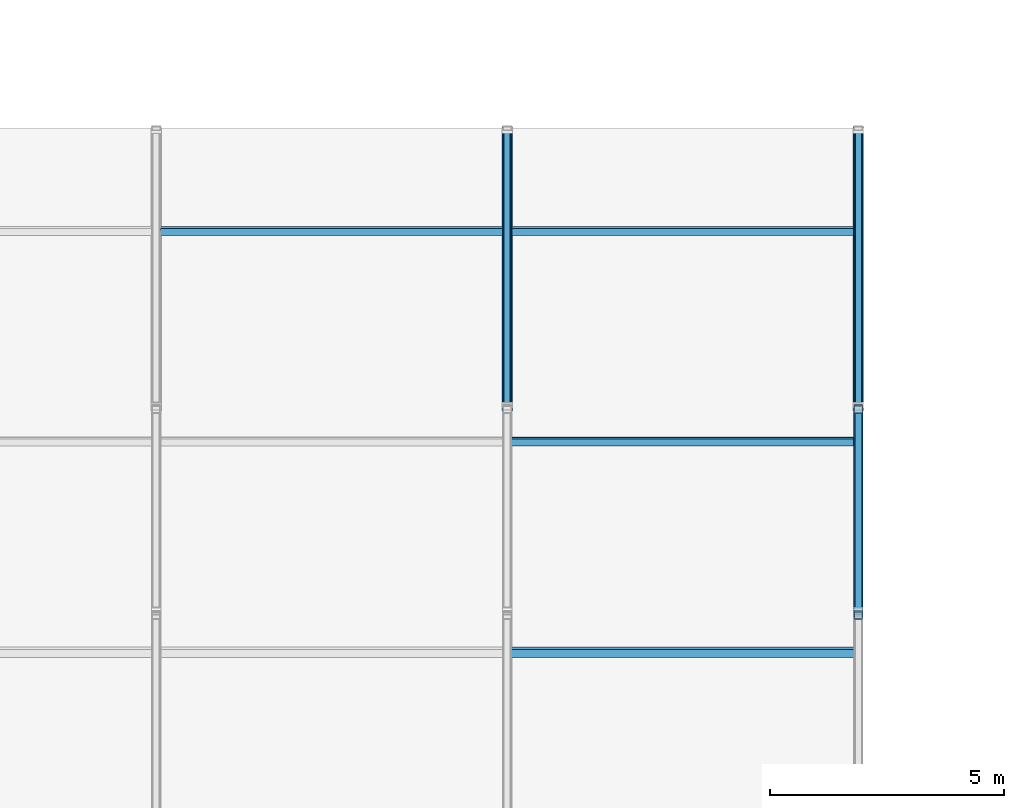
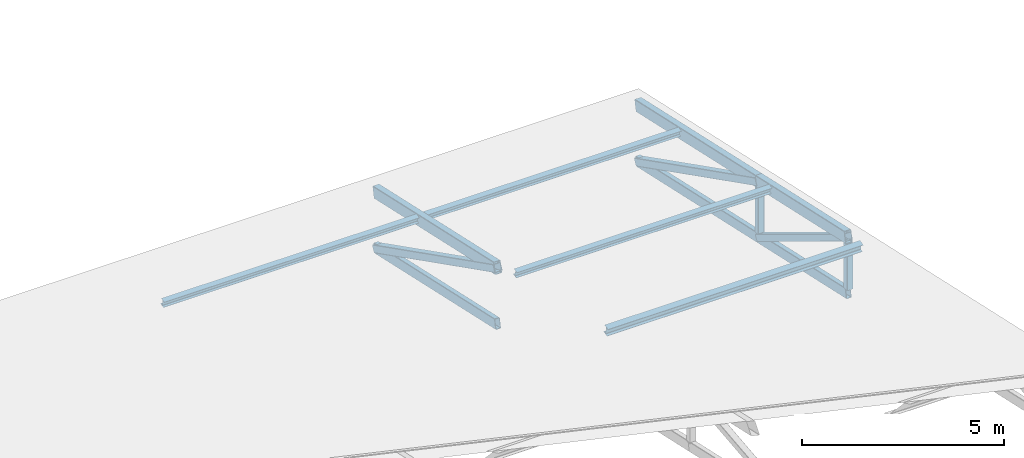
# One storey, part 36 of 77: 15 members.
"""IFC4 building model written with IfcOpenShell, lengths in metres."""

from ifc_helpers import new_model, si_unit, direction, frame, origin, origin_2d, place, context, subcontext, project, spatial, hollow_rectangle, i_section, extrude, material, material_profile, profile_set, type_object, element, save


model = new_model("IFC4")

# Units and contexts
model_context = context("Model", 3, precision=1e-05, world=origin(), true_north=direction((0.0, 1.0)))
body_context = subcontext(model_context, "Body", "Model", "MODEL_VIEW")
ifc_project = project(units=[si_unit("LENGTHUNIT", "METRE"), si_unit("AREAUNIT", "SQUARE_METRE"), si_unit("VOLUMEUNIT", "CUBIC_METRE"), si_unit("PLANEANGLEUNIT", "RADIAN"), si_unit("MASSUNIT", "GRAM", prefix="KILO")], contexts=[model_context])

# Site, building, storey
site_placement = place(None, origin())
site = spatial("IfcSite", under=ifc_project, at=site_placement, CompositionType="ELEMENT")
building_placement = place(site_placement, origin())
building = spatial("IfcBuilding", under=site, at=building_placement, Name="Yukiwa Park Conservatory and Herbarium", CompositionType="ELEMENT")
storey_placement = place(building_placement, frame((0.0, 0.0, 13.199951171875)))
storey = spatial("IfcBuildingStorey", under=building, at=storey_placement, Name="L03", CompositionType="ELEMENT", Elevation=13.199951171875)

# Members
ifc_material_1 = material(Name="Steel Q355D", Category="steel")
ifc_material_profile_1 = material_profile(ifc_material_1, hollow_rectangle(XDim=0.14990234375, YDim=0.300048828125, WallThickness=0.010009765625, InnerFilletRadius=0.010009765625, OuterFilletRadius=0.02001953125, at=origin_2d()), Name="RHS 300x150x10")
ifc_profile_set_1 = profile_set([ifc_material_profile_1], Name="Steel Q355D")
member_type_1 = type_object("IfcMemberType", Name="MB-AU-CHORD300", PredefinedType="CHORD", material=ifc_profile_set_1)
member_1_placement = place(storey_placement, frame((52.5, 103.199951171875, -3.0947265625), z_axis=(0.0, 0.976245966032, -0.216665211344), x_axis=(-1.0, 0.0, 0.0)))
element("IfcMember", 1, at=member_1_placement, inside=storey, type_object=member_type_1, Name="Auditorium roof truss 6 bottom chord 6", PredefinedType="CHORD", context=body_context, shape_type="SweptSolid", body=[
    extrude(hollow_rectangle(XDim=0.14990234375, YDim=0.300048828125, WallThickness=0.010009765625, InnerFilletRadius=0.010009765625, OuterFilletRadius=0.02001953125, at=origin_2d()), origin(), (0.0, 0.0, 1.0), 6.139892578125),
])
ifc_material_2 = material(Name="Steel Q355D", Category="steel")
ifc_material_profile_2 = material_profile(ifc_material_2, hollow_rectangle(XDim=0.14990234375, YDim=0.300048828125, WallThickness=0.010009765625, InnerFilletRadius=0.010009765625, OuterFilletRadius=0.02001953125, at=origin_2d()), Name="RHS 300x150x10")
ifc_profile_set_2 = profile_set([ifc_material_profile_2], Name="Steel Q355D")
member_type_2 = type_object("IfcMemberType", Name="MB-AU-CHORD300-EXT", PredefinedType="CHORD", material=ifc_profile_set_2)
member_2_placement = place(storey_placement, frame((60.0, 98.800048828125, -2.119384765625), z_axis=(0.0, 0.976300370705, -0.216419930139), x_axis=(-1.0, 0.0, 0.0)))
element("IfcMember", 2, at=member_2_placement, inside=storey, type_object=member_type_2, Name="Auditorium roof truss 7 bottom chord 5", PredefinedType="CHORD", context=body_context, shape_type="SweptSolid", body=[
    extrude(hollow_rectangle(XDim=0.14990234375, YDim=0.300048828125, WallThickness=0.010009765625, InnerFilletRadius=0.010009765625, OuterFilletRadius=0.02001953125, at=origin_2d()), origin(), (0.0, 0.0, 1.0), 4.506591796875),
])
member_3_placement = place(storey_placement, frame((60.0, 103.199951171875, -3.0947265625), z_axis=(0.0, 0.976245966032, -0.216665211344), x_axis=(-1.0, 0.0, 0.0)))
element("IfcMember", 3, at=member_3_placement, inside=storey, type_object=member_type_2, Name="Auditorium roof truss 7 bottom chord 6", PredefinedType="CHORD", context=body_context, shape_type="SweptSolid", body=[
    extrude(hollow_rectangle(XDim=0.14990234375, YDim=0.300048828125, WallThickness=0.010009765625, InnerFilletRadius=0.010009765625, OuterFilletRadius=0.02001953125, at=origin_2d()), origin(), (0.0, 0.0, 1.0), 6.139892578125),
])
ifc_material_3 = material(Name="Steel Q355D", Category="steel")
ifc_material_profile_3 = material_profile(ifc_material_3, hollow_rectangle(XDim=0.199951171875, YDim=0.35009765625, WallThickness=0.011962890625, InnerFilletRadius=0.011962890625, OuterFilletRadius=0.02392578125, at=origin_2d()), Name="RHS 350x200x12")
ifc_profile_set_3 = profile_set([ifc_material_profile_3], Name="Steel Q355D")
member_type_3 = type_object("IfcMemberType", Name="MB-AU-CHORD350", PredefinedType="CHORD", material=ifc_profile_set_3)
member_4_placement = place(storey_placement, frame((52.5, 103.199951171875, -1.394775390625), z_axis=(0.0, 0.976254375849, -0.216627315071), x_axis=(-1.0, 0.0, 0.0)))
element("IfcMember", 4, at=member_4_placement, inside=storey, type_object=member_type_3, Name="Auditorium roof truss 6 top chord 6", PredefinedType="CHORD", context=body_context, shape_type="SweptSolid", body=[
    extrude(hollow_rectangle(XDim=0.199951171875, YDim=0.35009765625, WallThickness=0.011962890625, InnerFilletRadius=0.011962890625, OuterFilletRadius=0.02392578125, at=origin_2d()), origin(), (0.0, 0.0, 1.0), 6.139892578125),
])
ifc_material_4 = material(Name="Steel Q355D", Category="steel")
ifc_material_profile_4 = material_profile(ifc_material_4, hollow_rectangle(XDim=0.199951171875, YDim=0.35009765625, WallThickness=0.011962890625, InnerFilletRadius=0.011962890625, OuterFilletRadius=0.02392578125, at=origin_2d()), Name="RHS 350x200x12")
ifc_profile_set_4 = profile_set([ifc_material_profile_4], Name="Steel Q355D")
member_type_4 = type_object("IfcMemberType", Name="MB-AU-CHORD350-EXT", PredefinedType="CHORD", material=ifc_profile_set_4)
member_5_placement = place(storey_placement, frame((60.0, 98.800048828125, -0.41943359375), z_axis=(0.0, 0.976300370705, -0.216419930139), x_axis=(-1.0, 0.0, 0.0)))
element("IfcMember", 5, at=member_5_placement, inside=storey, type_object=member_type_4, Name="Auditorium roof truss 7 top chord 5", PredefinedType="CHORD", context=body_context, shape_type="SweptSolid", body=[
    extrude(hollow_rectangle(XDim=0.199951171875, YDim=0.35009765625, WallThickness=0.011962890625, InnerFilletRadius=0.011962890625, OuterFilletRadius=0.02392578125, at=origin_2d()), origin(), (0.0, 0.0, 1.0), 4.506591796875),
])
member_6_placement = place(storey_placement, frame((60.0, 103.199951171875, -1.394775390625), z_axis=(0.0, 0.976254375849, -0.216627315071), x_axis=(-1.0, 0.0, 0.0)))
element("IfcMember", 6, at=member_6_placement, inside=storey, type_object=member_type_4, Name="Auditorium roof truss 7 top chord 6", PredefinedType="CHORD", context=body_context, shape_type="SweptSolid", body=[
    extrude(hollow_rectangle(XDim=0.199951171875, YDim=0.35009765625, WallThickness=0.011962890625, InnerFilletRadius=0.011962890625, OuterFilletRadius=0.02392578125, at=origin_2d()), origin(), (0.0, 0.0, 1.0), 6.139892578125),
])
ifc_material_5 = material(Name="Steel Q355D", Category="steel")
ifc_material_profile_5 = material_profile(ifc_material_5, hollow_rectangle(XDim=0.199951171875, YDim=0.199951171875, WallThickness=0.010009765625, InnerFilletRadius=0.010009765625, OuterFilletRadius=0.02001953125, at=origin_2d()), Name="SHS 200x200x10")
ifc_profile_set_5 = profile_set([ifc_material_profile_5], Name="Steel Q355D")
member_type_5 = type_object("IfcMemberType", Name="MB-AU-DIAG200-EXT", PredefinedType="BRACE", material=ifc_profile_set_5)
member_7_placement = place(storey_placement, frame((60.0, 98.800048828125, -0.41943359375), z_axis=(0.0, 0.854449311862, -0.519534766362), x_axis=(-1.0, 0.0, 0.0)))
element("IfcMember", 7, at=member_7_placement, inside=storey, type_object=member_type_5, Name="Auditorium roof truss 7 web diagonal 5", PredefinedType="BRACE", context=body_context, shape_type="SweptSolid", body=[
    extrude(hollow_rectangle(XDim=0.199951171875, YDim=0.199951171875, WallThickness=0.010009765625, InnerFilletRadius=0.010009765625, OuterFilletRadius=0.02001953125, at=origin_2d()), origin(), (0.0, 0.0, 1.0), 5.1494140625),
])
ifc_material_6 = material(Name="Steel Q355D", Category="steel")
ifc_material_profile_6 = material_profile(ifc_material_6, hollow_rectangle(XDim=0.219970703125, YDim=0.219970703125, WallThickness=0.010009765625, InnerFilletRadius=0.010009765625, OuterFilletRadius=0.02001953125, at=origin_2d()), Name="SHS 220x220x10")
ifc_profile_set_6 = profile_set([ifc_material_profile_6], Name="Steel Q355D")
member_type_6 = type_object("IfcMemberType", Name="MB-AU-DIAG220", PredefinedType="BRACE", material=ifc_profile_set_6)
member_8_placement = place(storey_placement, frame((52.5, 103.199951171875, -1.394775390625), z_axis=(0.0, 0.89225586594, -0.45153014262), x_axis=(-1.0, 0.0, 0.0)))
element("IfcMember", 8, at=member_8_placement, inside=storey, type_object=member_type_6, Name="Auditorium roof truss 6 web diagonal 6", PredefinedType="BRACE", context=body_context, shape_type="SweptSolid", body=[
    extrude(hollow_rectangle(XDim=0.219970703125, YDim=0.219970703125, WallThickness=0.010009765625, InnerFilletRadius=0.010009765625, OuterFilletRadius=0.02001953125, at=origin_2d()), origin(), (0.0, 0.0, 1.0), 6.711181640625),
])
ifc_material_7 = material(Name="Steel Q355D", Category="steel")
ifc_material_profile_7 = material_profile(ifc_material_7, hollow_rectangle(XDim=0.219970703125, YDim=0.219970703125, WallThickness=0.010009765625, InnerFilletRadius=0.010009765625, OuterFilletRadius=0.02001953125, at=origin_2d()), Name="SHS 220x220x10")
ifc_profile_set_7 = profile_set([ifc_material_profile_7], Name="Steel Q355D")
member_type_7 = type_object("IfcMemberType", Name="MB-AU-DIAG220-EXT", PredefinedType="BRACE", material=ifc_profile_set_7)
member_9_placement = place(storey_placement, frame((60.0, 103.199951171875, -1.394775390625), z_axis=(0.0, 0.89225586594, -0.45153014262), x_axis=(-1.0, 0.0, 0.0)))
element("IfcMember", 9, at=member_9_placement, inside=storey, type_object=member_type_7, Name="Auditorium roof truss 7 web diagonal 6", PredefinedType="BRACE", context=body_context, shape_type="SweptSolid", body=[
    extrude(hollow_rectangle(XDim=0.219970703125, YDim=0.219970703125, WallThickness=0.010009765625, InnerFilletRadius=0.010009765625, OuterFilletRadius=0.02001953125, at=origin_2d()), origin(), (0.0, 0.0, 1.0), 6.711181640625),
])
ifc_material_8 = material(Name="Steel Q355D", Category="steel")
ifc_material_profile_8 = material_profile(ifc_material_8, hollow_rectangle(XDim=0.179931640625, YDim=0.179931640625, WallThickness=0.008056640625, InnerFilletRadius=0.008056640625, OuterFilletRadius=0.01611328125, at=origin_2d()), Name="SHS 180x180x8")
ifc_profile_set_8 = profile_set([ifc_material_profile_8], Name="Steel Q355D")
member_type_8 = type_object("IfcMemberType", Name="MB-AU-WEB180", PredefinedType="MEMBER", material=ifc_profile_set_8)
for number, where, z_axis, x_axis, name in (
    (10, (60.0, 98.800048828125, -1.974365234375), (0.0, 0.0, 1.0), (1.0, 0.0, 0.0), "Auditorium roof truss 7 vertical web 4"),
    (11, (60.0, 103.199951171875, -2.94970703125), (0.0, 0.0, 1.0), (1.0, 0.0, 0.0), "Auditorium roof truss 7 vertical web 5"),
):
    element("IfcMember", number, at=place(storey_placement, frame(where, z_axis=z_axis, x_axis=x_axis)), inside=storey, type_object=member_type_8, Name=name, PredefinedType="MEMBER", context=body_context, shape_type="SweptSolid", body=[
        extrude(hollow_rectangle(XDim=0.179931640625, YDim=0.179931640625, WallThickness=0.008056640625, InnerFilletRadius=0.008056640625, OuterFilletRadius=0.01611328125, at=origin_2d()), origin(), (0.0, 0.0, 1.0), 1.385009765625),
    ])
ifc_material_9 = material(Name="Steel Q355D", Category="steel")
ifc_material_profile_9 = material_profile(ifc_material_9, i_section(OverallWidth=0.14990234375, OverallDepth=0.194091796875, WebThickness=0.006103515625, FlangeThickness=0.009033203125, FilletRadius=0.012939453125, at=origin_2d()), Name="HM 194x150x6x9")
ifc_profile_set_9 = profile_set([ifc_material_profile_9], Name="Steel Q355D")
member_type_9 = type_object("IfcMemberType", Name="MB-RF-PURL194", PredefinedType="PURLIN", material=ifc_profile_set_9)
for number, where, z_axis, x_axis, name in (
    (12, (45.094970703125, 107.0, -2.182373046875), (1.0, 0.0, 0.0), (0.0, 0.97629600712, 0.216439613938), "Auditorium roof purlin 5.107"),
    (13, (52.594970703125, 102.5, -1.1845703125), (1.0, 0.0, 0.0), (0.0, 0.97629600712, 0.216439613938), "Auditorium roof purlin 6.102"),
    (14, (52.594970703125, 107.0, -2.182373046875), (1.0, 0.0, 0.0), (0.0, 0.97629600712, 0.216439613938), "Auditorium roof purlin 6.107"),
):
    element("IfcMember", number, at=place(storey_placement, frame(where, z_axis=z_axis, x_axis=x_axis)), inside=storey, type_object=member_type_9, Name=name, PredefinedType="PURLIN", context=body_context, shape_type="SweptSolid", body=[
        extrude(i_section(OverallWidth=0.14990234375, OverallDepth=0.194091796875, WebThickness=0.006103515625, FlangeThickness=0.009033203125, FilletRadius=0.012939453125, at=origin_2d()), origin(), (0.0, 0.0, 1.0), 7.31005859375),
    ])
ifc_material_10 = material(Name="Steel Q355D", Category="steel")
ifc_material_profile_10 = material_profile(ifc_material_10, i_section(OverallWidth=0.175048828125, OverallDepth=0.243896484375, WebThickness=0.007080078125, FlangeThickness=0.010986328125, FilletRadius=0.01611328125, at=origin_2d()), Name="HM 244x175x7x11")
ifc_profile_set_10 = profile_set([ifc_material_profile_10], Name="Steel Q355D")
member_type_10 = type_object("IfcMemberType", Name="MB-RF-PURL244", PredefinedType="PURLIN", material=ifc_profile_set_10)
member_10_placement = place(storey_placement, frame((52.594970703125, 98.0, -0.18701171875), z_axis=(1.0, 0.0, 0.0), x_axis=(0.0, 0.97629600712, 0.216439613938)))
element("IfcMember", 15, at=member_10_placement, inside=storey, type_object=member_type_10, Name="Auditorium roof purlin 6.98", PredefinedType="PURLIN", context=body_context, shape_type="SweptSolid", body=[
    extrude(i_section(OverallWidth=0.175048828125, OverallDepth=0.243896484375, WebThickness=0.007080078125, FlangeThickness=0.010986328125, FilletRadius=0.01611328125, at=origin_2d()), origin(), (0.0, 0.0, 1.0), 7.31005859375),
])

save(model, "model.ifc")
